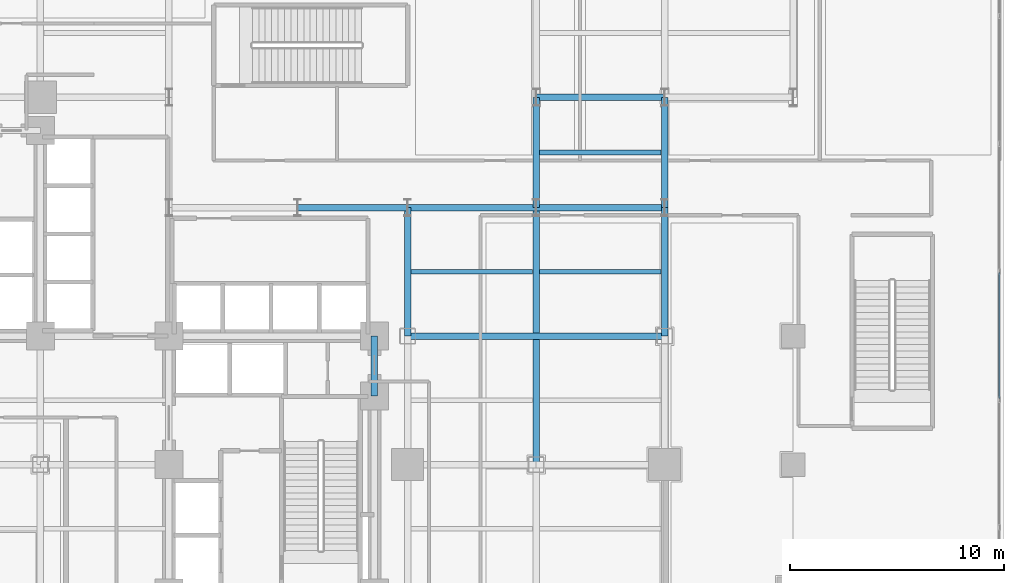
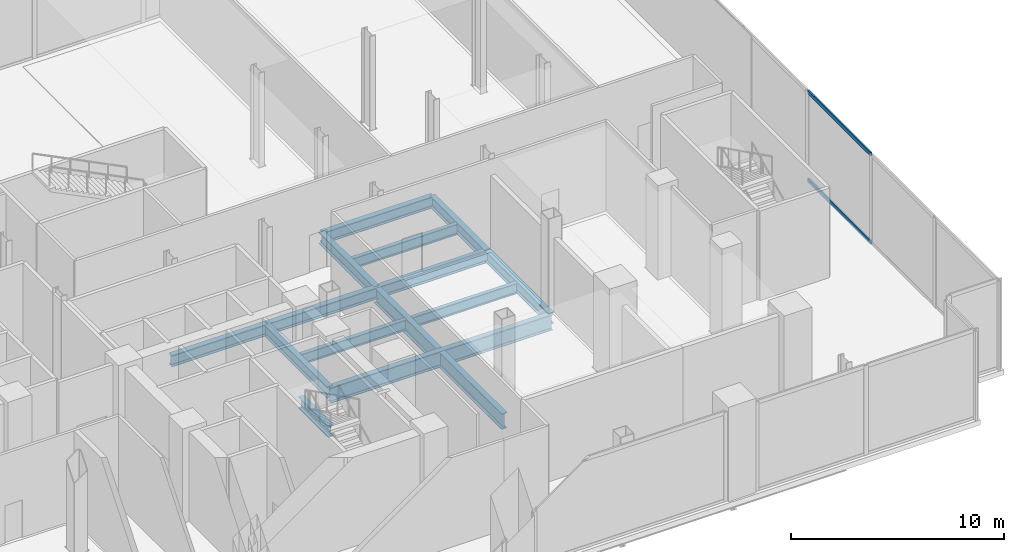
# One storey, part 11 of 27: 14 beams, 2 members, 1 element without a shape of its own.
"""IFC4 building model written with IfcOpenShell, lengths in metres."""

from ifc_helpers import new_model, si_unit, direction, frame, origin, origin_2d, place, context, subcontext, project, spatial, hollow_rectangle, i_section, extrude, material, layer, layer_set, material_profile, profile_set, type_object, element, aggregate, save


model = new_model("IFC4")

# Units and contexts
model_context = context("Model", 3, precision=1e-05, world=origin(), true_north=direction((0.0, 1.0)))
body_context = subcontext(model_context, "Body", "Model", "MODEL_VIEW")
ifc_project = project(units=[si_unit("LENGTHUNIT", "METRE"), si_unit("AREAUNIT", "SQUARE_METRE"), si_unit("VOLUMEUNIT", "CUBIC_METRE"), si_unit("PLANEANGLEUNIT", "RADIAN"), si_unit("MASSUNIT", "GRAM", prefix="KILO"), si_unit("THERMODYNAMICTEMPERATUREUNIT", "KELVIN"), si_unit("POWERUNIT", "WATT")], contexts=[model_context])

# Site, building, storey
site_placement = place(None, origin())
site = spatial("IfcSite", under=ifc_project, at=site_placement, CompositionType="ELEMENT")
building_placement = place(site_placement, origin())
building = spatial("IfcBuilding", under=site, at=building_placement, Name="Svarakhadi Broadcast Tower", CompositionType="ELEMENT")
storey_placement = place(building_placement, frame((0.0, 0.0, 5.699951171875)))
storey = spatial("IfcBuildingStorey", under=building, at=storey_placement, Name="L01", CompositionType="ELEMENT", Elevation=5.699951171875)

# Beams
ifc_material_1 = material(Name="Steel S355J2 (IS 2062 E350C)", Category="steel")
ifc_material_profile_1 = material_profile(ifc_material_1, i_section(OverallWidth=0.219970703125, OverallDepth=0.60009765625, WebThickness=0.011962890625, FlangeThickness=0.01904296875, FilletRadius=0.02392578125, at=origin_2d()), Name="NPB 600x220x122")
ifc_profile_set_1 = profile_set([ifc_material_profile_1], Name="Steel S355J2 (IS 2062 E350C)")
beam_type_1 = type_object("IfcBeamType", Name="Beam_NPB600", PredefinedType="BEAM", material=ifc_profile_set_1)
for number, where, z_axis, x_axis, name in (
    (1, (35.31005859375, 21.0, -0.599853515625), (1.0, 0.0, 0.0), (0.0, 1.0, 0.0), "L01 Secondary Composite Beam SB020"),
    (2, (41.31005859375, 21.0, -0.599853515625), (1.0, 0.0, 0.0), (0.0, 1.0, 0.0), "L01 Secondary Composite Beam SB024"),
    (3, (41.31005859375, 26.574951171875, -0.599853515625), (1.0, 0.0, 0.0), (0.0, 1.0, 0.0), "L01 Secondary Composite Beam SB025"),
):
    element("IfcBeam", number, at=place(storey_placement, frame(where, z_axis=z_axis, x_axis=x_axis)), inside=storey, type_object=beam_type_1, Name=name, PredefinedType="BEAM", context=body_context, shape_type="SweptSolid", body=[
        extrude(i_section(OverallWidth=0.219970703125, OverallDepth=0.60009765625, WebThickness=0.011962890625, FlangeThickness=0.01904296875, FilletRadius=0.02392578125, at=origin_2d()), origin(), (0.0, 0.0, 1.0), 5.679931640625),
    ])

# Curtain wall, members
ifc_material_2 = material(Name="Anodised Bronze Aluminium AA 6063-T6", Category="aluminium")
ifc_layer = layer(ifc_material_2, 0.25)
ifc_layer_set = layer_set([ifc_layer], Name="Anodised Bronze Aluminium AA 6063-T6")
curtain_wall_type = type_object("IfcCurtainWallType", Name="CW_Sys_01", PredefinedType="NOTDEFINED", material=ifc_layer_set)
curtain_wall_placement = place(storey_placement, origin())
curtain_wall = element("IfcCurtainWall", 4, at=curtain_wall_placement, inside=storey, type_object=curtain_wall_type, Name="L01 Unitised Facade Curtain Wall 08", PredefinedType="NOTDEFINED")
ifc_material_profile_2 = material_profile(ifc_material_2, hollow_rectangle(XDim=0.0849609375, YDim=0.219970703125, WallThickness=0.0048828125, at=origin_2d()), Name="ALU TRANSOM 220x85x5")
ifc_profile_set_2 = profile_set([ifc_material_profile_2], Name="Anodised Bronze Aluminium AA 6063-T6")
member_type = type_object("IfcMemberType", Name="CW_Sys_01_Trn", PredefinedType="USERDEFINED", material=ifc_profile_set_2)
member_1_placement = place(storey_placement, frame((62.780029296875, 20.96533203125, 0.04248046875), z_axis=(0.0, -1.0, 0.0), x_axis=(1.0, 0.0, 0.0)))
member_1 = element("IfcMember", 5, at=member_1_placement, type_object=member_type, Name="CW-01 transom 5.1", ObjectType="TRANSOM", PredefinedType="USERDEFINED", context=body_context, shape_type="SweptSolid", body=[
    extrude(hollow_rectangle(XDim=0.0849609375, YDim=0.219970703125, WallThickness=0.0048828125, at=origin_2d()), origin(), (0.0, 0.0, 1.0), 5.879150390625),
])
member_2_placement = place(storey_placement, frame((62.780029296875, 20.96533203125, 5.08251953125), z_axis=(0.0, -1.0, 0.0), x_axis=(1.0, 0.0, 0.0)))
member_2 = element("IfcMember", 6, at=member_2_placement, type_object=member_type, Name="CW-01 transom 5.2", ObjectType="TRANSOM", PredefinedType="USERDEFINED", context=body_context, shape_type="SweptSolid", body=[
    extrude(hollow_rectangle(XDim=0.0849609375, YDim=0.219970703125, WallThickness=0.0048828125, at=origin_2d()), origin(), (0.0, 0.0, 1.0), 5.879150390625),
])
aggregate(curtain_wall, [member_1, member_2])

# Beams
ifc_material_profile_3 = material_profile(ifc_material_1, i_section(OverallWidth=0.300048828125, OverallDepth=0.64990234375, WebThickness=0.01611328125, FlangeThickness=0.031005859375, FilletRadius=0.027099609375, at=origin_2d()), Name="WPB 650x300x225")
ifc_profile_set_3 = profile_set([ifc_material_profile_3], Name="Steel S355J2 (IS 2062 E350C)")
beam_type_2 = type_object("IfcBeamType", Name="Girder_WPB650", PredefinedType="USERDEFINED", material=ifc_profile_set_3)
beam_1_placement = place(storey_placement, frame((30.0, 24.0, -0.625), z_axis=(1.0, 0.0, 0.0), x_axis=(0.0, 1.0, 0.0)))
element("IfcBeam", 7, at=beam_1_placement, inside=storey, type_object=beam_type_2, Name="L01 Primary E-W Girder G027", ObjectType="GIRDER", PredefinedType="USERDEFINED", context=body_context, shape_type="SweptSolid", body=[
    extrude(i_section(OverallWidth=0.300048828125, OverallDepth=0.64990234375, WebThickness=0.01611328125, FlangeThickness=0.031005859375, FilletRadius=0.027099609375, at=origin_2d()), origin(), (0.0, 0.0, 1.0), 5.14990234375),
])
for number, where, z_axis, x_axis, name in (
    (8, (35.14990234375, 24.0, -0.625), (1.0, 0.0, 0.0), (0.0, 1.0, 0.0), "L01 Primary E-W Girder G028"),
    (9, (41.14990234375, 24.0, -0.625), (1.0, 0.0, 0.0), (0.0, 1.0, 0.0), "L01 Primary E-W Girder G029"),
    (10, (41.14990234375, 29.14990234375, -0.625), (1.0, 0.0, 0.0), (0.0, 1.0, 0.0), "L01 Primary E-W Girder G035"),
):
    element("IfcBeam", number, at=place(storey_placement, frame(where, z_axis=z_axis, x_axis=x_axis)), inside=storey, type_object=beam_type_2, Name=name, ObjectType="GIRDER", PredefinedType="USERDEFINED", context=body_context, shape_type="SweptSolid", body=[
        extrude(i_section(OverallWidth=0.300048828125, OverallDepth=0.64990234375, WebThickness=0.01611328125, FlangeThickness=0.031005859375, FilletRadius=0.027099609375, at=origin_2d()), origin(), (0.0, 0.0, 1.0), 6.0),
    ])
beam_2_placement = place(storey_placement, frame((33.60009765625, 15.199951171875, -0.625), z_axis=(0.0, 1.0, 0.0), x_axis=(-1.0, 0.0, 0.0)))
element("IfcBeam", 11, at=beam_2_placement, inside=storey, type_object=beam_type_2, Name="L01 Primary N-S Girder G071", ObjectType="GIRDER", PredefinedType="USERDEFINED", context=body_context, shape_type="SweptSolid", body=[
    extrude(i_section(OverallWidth=0.300048828125, OverallDepth=0.64990234375, WebThickness=0.01611328125, FlangeThickness=0.031005859375, FilletRadius=0.027099609375, at=origin_2d()), origin(), (0.0, 0.0, 1.0), 2.800048828125),
])
beam_3_placement = place(storey_placement, frame((35.14990234375, 18.0, -0.625), z_axis=(0.0, 1.0, 0.0), x_axis=(-1.0, 0.0, 0.0)))
element("IfcBeam", 12, at=beam_3_placement, inside=storey, type_object=beam_type_2, Name="L01 Primary N-S Girder G074", ObjectType="GIRDER", PredefinedType="USERDEFINED", context=body_context, shape_type="SweptSolid", body=[
    extrude(i_section(OverallWidth=0.300048828125, OverallDepth=0.64990234375, WebThickness=0.01611328125, FlangeThickness=0.031005859375, FilletRadius=0.027099609375, at=origin_2d()), origin(), (0.0, 0.0, 1.0), 6.0),
])
beam_4_placement = place(storey_placement, frame((41.14990234375, 24.0, -0.625), z_axis=(0.0, 1.0, 0.0), x_axis=(-1.0, 0.0, 0.0)))
element("IfcBeam", 13, at=beam_4_placement, inside=storey, type_object=beam_type_2, Name="L01 Primary N-S Girder G077", ObjectType="GIRDER", PredefinedType="USERDEFINED", context=body_context, shape_type="SweptSolid", body=[
    extrude(i_section(OverallWidth=0.300048828125, OverallDepth=0.64990234375, WebThickness=0.01611328125, FlangeThickness=0.031005859375, FilletRadius=0.027099609375, at=origin_2d()), origin(), (0.0, 0.0, 1.0), 5.14990234375),
])
beam_5_placement = place(storey_placement, frame((47.14990234375, 18.0, -0.625), z_axis=(0.0, 1.0, 0.0), x_axis=(-1.0, 0.0, 0.0)))
element("IfcBeam", 14, at=beam_5_placement, inside=storey, type_object=beam_type_2, Name="L01 Primary N-S Girder G081", ObjectType="GIRDER", PredefinedType="USERDEFINED", context=body_context, shape_type="SweptSolid", body=[
    extrude(i_section(OverallWidth=0.300048828125, OverallDepth=0.64990234375, WebThickness=0.01611328125, FlangeThickness=0.031005859375, FilletRadius=0.027099609375, at=origin_2d()), origin(), (0.0, 0.0, 1.0), 6.0),
])
beam_6_placement = place(storey_placement, frame((47.14990234375, 24.0, -0.625), z_axis=(0.0, 1.0, 0.0), x_axis=(-1.0, 0.0, 0.0)))
element("IfcBeam", 15, at=beam_6_placement, inside=storey, type_object=beam_type_2, Name="L01 Primary N-S Girder G082", ObjectType="GIRDER", PredefinedType="USERDEFINED", context=body_context, shape_type="SweptSolid", body=[
    extrude(i_section(OverallWidth=0.300048828125, OverallDepth=0.64990234375, WebThickness=0.01611328125, FlangeThickness=0.031005859375, FilletRadius=0.027099609375, at=origin_2d()), origin(), (0.0, 0.0, 1.0), 5.14990234375),
])
ifc_material_3 = material(Name="Steel S460ML (IS 2062 E450BR)", Category="steel")
ifc_material_profile_4 = material_profile(ifc_material_3, i_section(OverallWidth=0.300048828125, OverallDepth=0.89990234375, WebThickness=0.0185546875, FlangeThickness=0.034912109375, FilletRadius=0.030029296875, at=origin_2d()), Name="WPB 900x300x291")
ifc_profile_set_4 = profile_set([ifc_material_profile_4], Name="Steel S460ML (IS 2062 E450BR)")
beam_type_3 = type_object("IfcBeamType", Name="Girder_WPB900", PredefinedType="USERDEFINED", material=ifc_profile_set_4)
for number, where, z_axis, x_axis, name in (
    (16, (35.14990234375, 18.0, -0.75), (1.0, 0.0, 0.0), (0.0, 1.0, 0.0), "L01 Primary E-W Girder G025"),
    (17, (41.14990234375, 12.0, -0.75), (0.0, 1.0, 0.0), (-1.0, 0.0, 0.0), "L01 Primary N-S Girder G076"),
):
    element("IfcBeam", number, at=place(storey_placement, frame(where, z_axis=z_axis, x_axis=x_axis)), inside=storey, type_object=beam_type_3, Name=name, ObjectType="GIRDER", PredefinedType="USERDEFINED", context=body_context, shape_type="SweptSolid", body=[
        extrude(i_section(OverallWidth=0.300048828125, OverallDepth=0.89990234375, WebThickness=0.0185546875, FlangeThickness=0.034912109375, FilletRadius=0.030029296875, at=origin_2d()), origin(), (0.0, 0.0, 1.0), 12.0),
    ])

save(model, "model.ifc")
